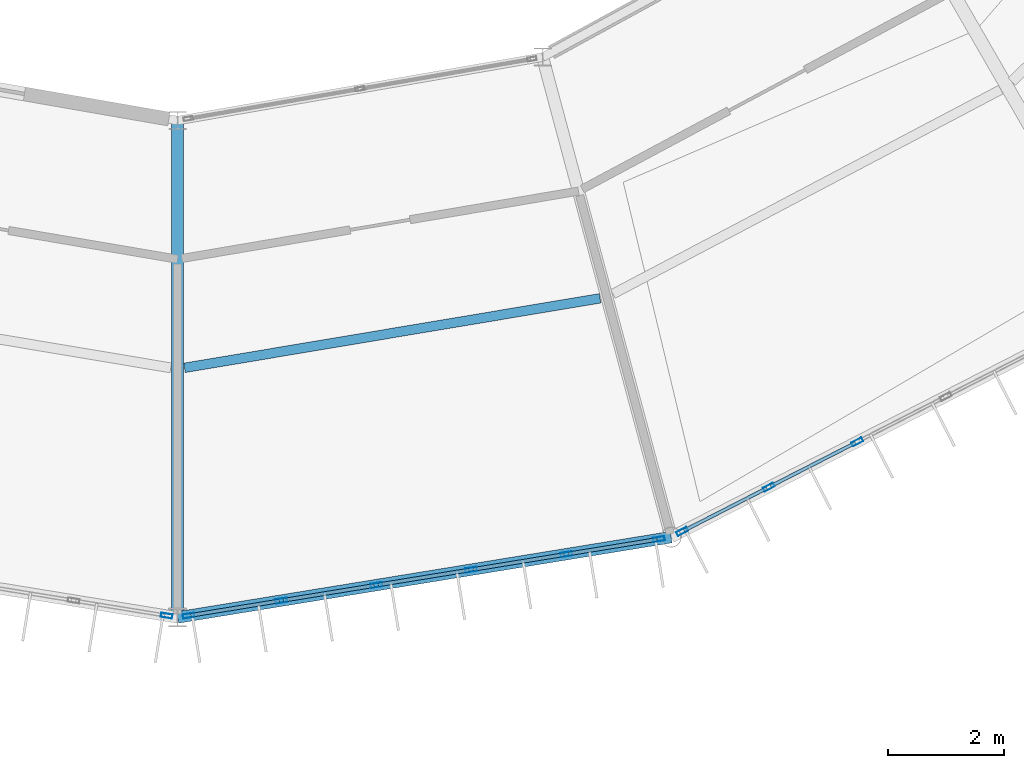
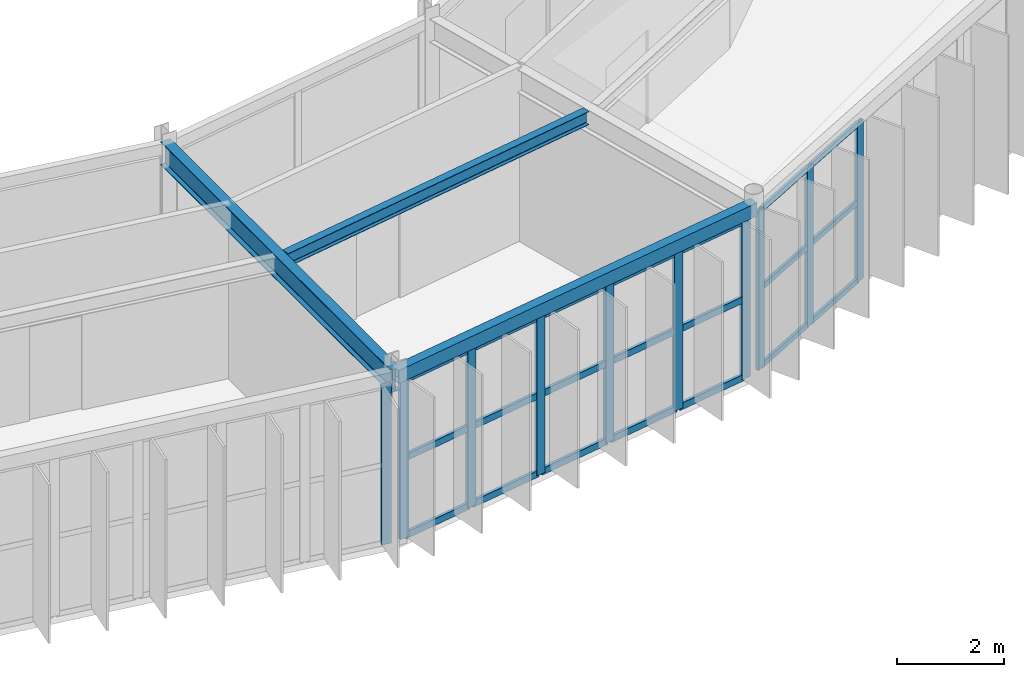
# One storey, part 48 of 148: 31 members, 3 beams, 3 elements without a shape of their own.
"""IFC4 building model written with IfcOpenShell, lengths in metres."""

from ifc_helpers import new_model, si_unit, direction, frame, origin, origin_2d, place, context, subcontext, project, spatial, hollow_rectangle, i_section, extrude, material, material_profile, profile_set, type_object, element, aggregate, save


model = new_model("IFC4")

# Units and contexts
model_context = context("Model", 3, precision=1e-05, world=origin(), true_north=direction((0.0, 1.0)))
body_context = subcontext(model_context, "Body", "Model", "MODEL_VIEW")
ifc_project = project(units=[si_unit("LENGTHUNIT", "METRE"), si_unit("AREAUNIT", "SQUARE_METRE"), si_unit("VOLUMEUNIT", "CUBIC_METRE"), si_unit("PLANEANGLEUNIT", "RADIAN"), si_unit("MASSUNIT", "GRAM", prefix="KILO")], contexts=[model_context])

# Site, building, storey
site_placement = place(None, origin())
site = spatial("IfcSite", under=ifc_project, at=site_placement, CompositionType="ELEMENT")
building_placement = place(site_placement, origin())
building = spatial("IfcBuilding", under=site, at=building_placement, Name="Karori Crest Natural Sciences Institute", CompositionType="ELEMENT")
storey_placement = place(building_placement, frame((0.0, 0.0, 4.89990234375)))
storey = spatial("IfcBuildingStorey", under=building, at=storey_placement, Name="L01", CompositionType="ELEMENT", Elevation=4.89990234375)

# Beams
ifc_material_1 = material(Name="Structural steel AS/NZS 3679.1 Grade 350", Category="steel")
ifc_material_profile_1 = material_profile(ifc_material_1, i_section(OverallWidth=0.208984375, OverallDepth=0.532958984375, WebThickness=0.01025390625, FlangeThickness=0.015625, FilletRadius=0.013916015625, at=origin_2d()), Name="530UB92.4")
ifc_profile_set_1 = profile_set([ifc_material_profile_1], Name="Structural steel AS/NZS 3679.1 Grade 350")
beam_type_1 = type_object("IfcBeamType", Name="BT-05", PredefinedType="BEAM", material=ifc_profile_set_1)
beam_1_placement = place(storey_placement, frame((66.39990234375, 17.699951171875, 3.673583984375), z_axis=(0.0, -1.0, 0.0), x_axis=(1.0, 0.0, 0.0)))
element("IfcBeam", 1, at=beam_1_placement, inside=storey, type_object=beam_type_1, Name="Beam B-0250", PredefinedType="BEAM", context=body_context, shape_type="SweptSolid", body=[
    extrude(i_section(OverallWidth=0.208984375, OverallDepth=0.532958984375, WebThickness=0.01025390625, FlangeThickness=0.015625, FilletRadius=0.013916015625, at=origin_2d()), origin(), (0.0, 0.0, 1.0), 8.599853515625),
])
ifc_material_profile_2 = material_profile(ifc_material_1, i_section(OverallWidth=0.1650390625, OverallDepth=0.303955078125, WebThickness=0.006103515625, FlangeThickness=0.01025390625, FilletRadius=0.010986328125, at=origin_2d()), Name="310UB40.4")
ifc_profile_set_2 = profile_set([ifc_material_profile_2], Name="Structural steel AS/NZS 3679.1 Grade 350")
beam_type_2 = type_object("IfcBeamType", Name="BT-10", PredefinedType="BEAM", material=ifc_profile_set_2)
beam_2_placement = place(storey_placement, frame((66.518310546875, 13.419921875, 3.7880859375), z_axis=(0.986276028212, 0.165104803609, 0.0), x_axis=(-0.165104803609, 0.986276028212, 0.0)))
element("IfcBeam", 2, at=beam_2_placement, inside=storey, type_object=beam_type_2, Name="Beam B-0251", PredefinedType="BEAM", context=body_context, shape_type="SweptSolid", body=[
    extrude(i_section(OverallWidth=0.1650390625, OverallDepth=0.303955078125, WebThickness=0.006103515625, FlangeThickness=0.01025390625, FilletRadius=0.010986328125, at=origin_2d()), origin(), (0.0, 0.0, 1.0), 7.29150390625),
])
ifc_material_2 = material(Name="Hollow structural steel AS/NZS 1163 Grade C350", Category="steel")
ifc_material_profile_3 = material_profile(ifc_material_2, hollow_rectangle(XDim=0.199951171875, YDim=0.300048828125, WallThickness=0.010009765625, at=origin_2d()), Name="RHS300x200x10")
ifc_profile_set_3 = profile_set([ifc_material_profile_3], Name="Hollow structural steel AS/NZS 1163 Grade C350")
beam_type_3 = type_object("IfcBeamType", Name="BT-15", PredefinedType="SPANDREL", material=ifc_profile_set_3)
beam_3_placement = place(storey_placement, frame((66.39990234375, 9.10009765625, 3.7900390625), z_axis=(0.987012055933, 0.160646199591, 0.0), x_axis=(-0.160646199591, 0.987012055933, 0.0)))
element("IfcBeam", 3, at=beam_3_placement, inside=storey, type_object=beam_type_3, Name="Beam B-0248", PredefinedType="SPANDREL", context=body_context, shape_type="SweptSolid", body=[
    extrude(hollow_rectangle(XDim=0.199951171875, YDim=0.300048828125, WallThickness=0.010009765625, at=origin_2d()), origin(), (0.0, 0.0, 1.0), 8.6533203125),
])

# Curtain wall, member
ifc_material_3 = material(Name="Anodised architectural aluminium 6063-T6", Category="aluminium")
curtain_wall_type_1 = type_object("IfcCurtainWallType", Name="CWT-08", PredefinedType="NOTDEFINED", material=ifc_material_3)
curtain_wall_1_placement = place(storey_placement, origin())
curtain_wall_1 = element("IfcCurtainWall", 4, at=curtain_wall_1_placement, inside=storey, type_object=curtain_wall_type_1, Name="Curtain wall CW-0055", PredefinedType="NOTDEFINED")
ifc_material_profile_4 = material_profile(ifc_material_3, hollow_rectangle(XDim=0.074951171875, YDim=0.199951171875, WallThickness=0.0048828125, at=origin_2d()), Name="CWM200x75x5")
ifc_profile_set_4 = profile_set([ifc_material_profile_4], Name="Anodised architectural aluminium 6063-T6")
member_type_1 = type_object("IfcMemberType", Name="CWM-02", PredefinedType="MULLION", material=ifc_profile_set_4)
member_1_placement = place(storey_placement, frame((66.20947265625, 9.131103515625, 0.0), z_axis=(0.0, 0.0, 1.0), x_axis=(-0.160651962718, -0.987011117908, 0.0)))
member_1 = element("IfcMember", 5, at=member_1_placement, type_object=member_type_1, Name="CW-0055 mullion 1", PredefinedType="MULLION", context=body_context, shape_type="SweptSolid", body=[
    extrude(hollow_rectangle(XDim=0.074951171875, YDim=0.199951171875, WallThickness=0.0048828125, at=origin_2d()), origin(), (0.0, 0.0, 1.0), 3.625),
])
aggregate(curtain_wall_1, [member_1])

# Curtain wall, members
curtain_wall_type_2 = type_object("IfcCurtainWallType", Name="CWT-09", PredefinedType="NOTDEFINED", material=ifc_material_3)
curtain_wall_2_placement = place(storey_placement, origin())
curtain_wall_2 = element("IfcCurtainWall", 6, at=curtain_wall_2_placement, inside=storey, type_object=curtain_wall_type_2, Name="Curtain wall CW-0056", PredefinedType="NOTDEFINED")
member_2_placement = place(storey_placement, frame((74.73046875, 10.4560546875, 0.0), z_axis=(0.0, 0.0, 1.0), x_axis=(0.1606565458, -0.987010371927, 0.0)))
member_2 = element("IfcMember", 7, at=member_2_placement, type_object=member_type_1, Name="CW-0056 mullion 1", PredefinedType="MULLION", context=body_context, shape_type="SweptSolid", body=[
    extrude(hollow_rectangle(XDim=0.074951171875, YDim=0.199951171875, WallThickness=0.0048828125, at=origin_2d()), origin(), (0.0, 0.0, 1.0), 3.625),
])
member_3_placement = place(storey_placement, frame((73.124755859375, 10.194580078125, 0.0), z_axis=(0.0, 0.0, 1.0), x_axis=(0.1606565458, -0.987010371927, 0.0)))
member_3 = element("IfcMember", 8, at=member_3_placement, type_object=member_type_1, Name="CW-0056 mullion 2", PredefinedType="MULLION", context=body_context, shape_type="SweptSolid", body=[
    extrude(hollow_rectangle(XDim=0.074951171875, YDim=0.199951171875, WallThickness=0.0048828125, at=origin_2d()), origin(), (0.0, 0.0, 1.0), 3.625),
])
member_4_placement = place(storey_placement, frame((71.48193359375, 9.92724609375, 0.0), z_axis=(0.0, 0.0, 1.0), x_axis=(0.1606565458, -0.987010371927, 0.0)))
member_4 = element("IfcMember", 9, at=member_4_placement, type_object=member_type_1, Name="CW-0056 mullion 3", PredefinedType="MULLION", context=body_context, shape_type="SweptSolid", body=[
    extrude(hollow_rectangle(XDim=0.074951171875, YDim=0.199951171875, WallThickness=0.0048828125, at=origin_2d()), origin(), (0.0, 0.0, 1.0), 3.625),
])
member_5_placement = place(storey_placement, frame((69.839111328125, 9.659912109375, 0.0), z_axis=(0.0, 0.0, 1.0), x_axis=(0.1606565458, -0.987010371927, 0.0)))
member_5 = element("IfcMember", 10, at=member_5_placement, type_object=member_type_1, Name="CW-0056 mullion 4", PredefinedType="MULLION", context=body_context, shape_type="SweptSolid", body=[
    extrude(hollow_rectangle(XDim=0.074951171875, YDim=0.199951171875, WallThickness=0.0048828125, at=origin_2d()), origin(), (0.0, 0.0, 1.0), 3.625),
])
member_6_placement = place(storey_placement, frame((68.1962890625, 9.392333984375, 0.0), z_axis=(0.0, 0.0, 1.0), x_axis=(0.1606565458, -0.987010371927, 0.0)))
member_6 = element("IfcMember", 11, at=member_6_placement, type_object=member_type_1, Name="CW-0056 mullion 5", PredefinedType="MULLION", context=body_context, shape_type="SweptSolid", body=[
    extrude(hollow_rectangle(XDim=0.074951171875, YDim=0.199951171875, WallThickness=0.0048828125, at=origin_2d()), origin(), (0.0, 0.0, 1.0), 3.625),
])
member_7_placement = place(storey_placement, frame((66.590576171875, 9.131103515625, 0.0), z_axis=(0.0, 0.0, 1.0), x_axis=(0.1606565458, -0.987010371927, 0.0)))
member_7 = element("IfcMember", 12, at=member_7_placement, type_object=member_type_1, Name="CW-0056 mullion 6", PredefinedType="MULLION", context=body_context, shape_type="SweptSolid", body=[
    extrude(hollow_rectangle(XDim=0.074951171875, YDim=0.199951171875, WallThickness=0.0048828125, at=origin_2d()), origin(), (0.0, 0.0, 1.0), 3.625),
])

curtain_wall_type_3 = type_object("IfcCurtainWallType", Name="CWT-10", PredefinedType="NOTDEFINED", material=ifc_material_3)
curtain_wall_3_placement = place(storey_placement, origin())
curtain_wall_3 = element("IfcCurtainWall", 13, at=curtain_wall_3_placement, inside=storey, type_object=curtain_wall_type_3, Name="Curtain wall CW-0058", PredefinedType="NOTDEFINED")
member_8_placement = place(storey_placement, frame((78.16162109375, 12.139404296875, 0.0), z_axis=(0.0, 0.0, 1.0), x_axis=(0.455832988828, -0.890065326982, 0.0)))
member_8 = element("IfcMember", 14, at=member_8_placement, type_object=member_type_1, Name="CW-0058 mullion 4", PredefinedType="MULLION", context=body_context, shape_type="SweptSolid", body=[
    extrude(hollow_rectangle(XDim=0.074951171875, YDim=0.199951171875, WallThickness=0.0048828125, at=origin_2d()), origin(), (0.0, 0.0, 1.0), 3.625),
])
member_9_placement = place(storey_placement, frame((76.629638671875, 11.35498046875, 0.0), z_axis=(0.0, 0.0, 1.0), x_axis=(0.455832988828, -0.890065326982, 0.0)))
member_9 = element("IfcMember", 15, at=member_9_placement, type_object=member_type_1, Name="CW-0058 mullion 5", PredefinedType="MULLION", context=body_context, shape_type="SweptSolid", body=[
    extrude(hollow_rectangle(XDim=0.074951171875, YDim=0.199951171875, WallThickness=0.0048828125, at=origin_2d()), origin(), (0.0, 0.0, 1.0), 3.625),
])
member_10_placement = place(storey_placement, frame((75.130859375, 10.58740234375, 0.0), z_axis=(0.0, 0.0, 1.0), x_axis=(0.455832988828, -0.890065326982, 0.0)))
member_10 = element("IfcMember", 16, at=member_10_placement, type_object=member_type_1, Name="CW-0058 mullion 6", PredefinedType="MULLION", context=body_context, shape_type="SweptSolid", body=[
    extrude(hollow_rectangle(XDim=0.074951171875, YDim=0.199951171875, WallThickness=0.0048828125, at=origin_2d()), origin(), (0.0, 0.0, 1.0), 3.625),
])
ifc_material_profile_5 = material_profile(ifc_material_3, hollow_rectangle(XDim=0.06005859375, YDim=0.1201171875, WallThickness=0.00390625, at=origin_2d()), Name="CWT120x60x4")
ifc_profile_set_5 = profile_set([ifc_material_profile_5], Name="Anodised architectural aluminium 6063-T6")
member_type_2 = type_object("IfcMemberType", Name="CWT-TR1", PredefinedType="USERDEFINED", material=ifc_profile_set_5)
member_11_placement = place(storey_placement, frame((78.128173828125, 12.122314453125, 0.030029296875), z_axis=(-0.890115268912, -0.455735458408, 0.0), x_axis=(0.455735458408, -0.890115268912, 0.0)))
member_11 = element("IfcMember", 17, at=member_11_placement, type_object=member_type_2, Name="CW-0058 transom 4.1", ObjectType="TRANSOM", PredefinedType="USERDEFINED", context=body_context, shape_type="SweptSolid", body=[
    extrude(hollow_rectangle(XDim=0.06005859375, YDim=0.1201171875, WallThickness=0.00390625, at=origin_2d()), origin(), (0.0, 0.0, 1.0), 1.646240234375),
])
member_12_placement = place(storey_placement, frame((78.128173828125, 12.122314453125, 1.8125), z_axis=(-0.890115268912, -0.455735458408, 0.0), x_axis=(0.455735458408, -0.890115268912, 0.0)))
member_12 = element("IfcMember", 18, at=member_12_placement, type_object=member_type_2, Name="CW-0058 transom 4.2", ObjectType="TRANSOM", PredefinedType="USERDEFINED", context=body_context, shape_type="SweptSolid", body=[
    extrude(hollow_rectangle(XDim=0.06005859375, YDim=0.1201171875, WallThickness=0.00390625, at=origin_2d()), origin(), (0.0, 0.0, 1.0), 1.646240234375),
])
member_13_placement = place(storey_placement, frame((78.128173828125, 12.122314453125, 3.59521484375), z_axis=(-0.890115268912, -0.455735458408, 0.0), x_axis=(0.455735458408, -0.890115268912, 0.0)))
member_13 = element("IfcMember", 19, at=member_13_placement, type_object=member_type_2, Name="CW-0058 transom 4.3", ObjectType="TRANSOM", PredefinedType="USERDEFINED", context=body_context, shape_type="SweptSolid", body=[
    extrude(hollow_rectangle(XDim=0.06005859375, YDim=0.1201171875, WallThickness=0.00390625, at=origin_2d()), origin(), (0.0, 0.0, 1.0), 1.646240234375),
])
member_14_placement = place(storey_placement, frame((76.59619140625, 11.337890625, 0.030029296875), z_axis=(-0.890044866674, -0.455872937679, 0.0), x_axis=(0.455872937679, -0.890044866674, 0.0)))
member_14 = element("IfcMember", 20, at=member_14_placement, type_object=member_type_2, Name="CW-0058 transom 5.1", ObjectType="TRANSOM", PredefinedType="USERDEFINED", context=body_context, shape_type="SweptSolid", body=[
    extrude(hollow_rectangle(XDim=0.06005859375, YDim=0.1201171875, WallThickness=0.00390625, at=origin_2d()), origin(), (0.0, 0.0, 1.0), 1.60888671875),
])
member_15_placement = place(storey_placement, frame((76.59619140625, 11.337890625, 1.8125), z_axis=(-0.890044866674, -0.455872937679, 0.0), x_axis=(0.455872937679, -0.890044866674, 0.0)))
member_15 = element("IfcMember", 21, at=member_15_placement, type_object=member_type_2, Name="CW-0058 transom 5.2", ObjectType="TRANSOM", PredefinedType="USERDEFINED", context=body_context, shape_type="SweptSolid", body=[
    extrude(hollow_rectangle(XDim=0.06005859375, YDim=0.1201171875, WallThickness=0.00390625, at=origin_2d()), origin(), (0.0, 0.0, 1.0), 1.60888671875),
])
member_16_placement = place(storey_placement, frame((76.59619140625, 11.337890625, 3.59521484375), z_axis=(-0.890044866674, -0.455872937679, 0.0), x_axis=(0.455872937679, -0.890044866674, 0.0)))
member_16 = element("IfcMember", 22, at=member_16_placement, type_object=member_type_2, Name="CW-0058 transom 5.3", ObjectType="TRANSOM", PredefinedType="USERDEFINED", context=body_context, shape_type="SweptSolid", body=[
    extrude(hollow_rectangle(XDim=0.06005859375, YDim=0.1201171875, WallThickness=0.00390625, at=origin_2d()), origin(), (0.0, 0.0, 1.0), 1.60888671875),
])
aggregate(curtain_wall_3, [member_8, member_9, member_10, member_11, member_12, member_13, member_14, member_15, member_16])

# Member
ifc_material_profile_6 = material_profile(ifc_material_3, hollow_rectangle(XDim=0.06494140625, YDim=0.14990234375, WallThickness=0.00390625, at=origin_2d()), Name="CWT150x65x4")
ifc_profile_set_6 = profile_set([ifc_material_profile_6], Name="Anodised architectural aluminium 6063-T6")
member_type_3 = type_object("IfcMemberType", Name="CWT-TR2", PredefinedType="USERDEFINED", material=ifc_profile_set_6)
member_17_placement = place(storey_placement, frame((74.693359375, 10.449951171875, 0.03271484375), z_axis=(-0.987015971558, -0.160622140096, 0.0), x_axis=(0.160622140096, -0.987015971558, 0.0)))
member_17 = element("IfcMember", 23, at=member_17_placement, type_object=member_type_3, Name="CW-0056 transom 1.1", ObjectType="TRANSOM", PredefinedType="USERDEFINED", context=body_context, shape_type="SweptSolid", body=[
    extrude(hollow_rectangle(XDim=0.06494140625, YDim=0.14990234375, WallThickness=0.00390625, at=origin_2d()), origin(), (0.0, 0.0, 1.0), 1.552001953125),
])

member_18_placement = place(storey_placement, frame((74.693359375, 10.449951171875, 1.8125), z_axis=(-0.987015971558, -0.160622140096, 0.0), x_axis=(0.160622140096, -0.987015971558, 0.0)))
member_18 = element("IfcMember", 24, at=member_18_placement, type_object=member_type_3, Name="CW-0056 transom 1.2", ObjectType="TRANSOM", PredefinedType="USERDEFINED", context=body_context, shape_type="SweptSolid", body=[
    extrude(hollow_rectangle(XDim=0.06494140625, YDim=0.14990234375, WallThickness=0.00390625, at=origin_2d()), origin(), (0.0, 0.0, 1.0), 1.552001953125),
])

member_19_placement = place(storey_placement, frame((74.693359375, 10.449951171875, 3.592529296875), z_axis=(-0.987015971558, -0.160622140096, 0.0), x_axis=(0.160622140096, -0.987015971558, 0.0)))
member_19 = element("IfcMember", 25, at=member_19_placement, type_object=member_type_3, Name="CW-0056 transom 1.3", ObjectType="TRANSOM", PredefinedType="USERDEFINED", context=body_context, shape_type="SweptSolid", body=[
    extrude(hollow_rectangle(XDim=0.06494140625, YDim=0.14990234375, WallThickness=0.00390625, at=origin_2d()), origin(), (0.0, 0.0, 1.0), 1.552001953125),
])

member_20_placement = place(storey_placement, frame((73.087646484375, 10.1884765625, 0.03271484375), z_axis=(-0.987009535741, -0.160661682911, 0.0), x_axis=(0.160661682911, -0.987009535741, 0.0)))
member_20 = element("IfcMember", 26, at=member_20_placement, type_object=member_type_3, Name="CW-0056 transom 2.1", ObjectType="TRANSOM", PredefinedType="USERDEFINED", context=body_context, shape_type="SweptSolid", body=[
    extrude(hollow_rectangle(XDim=0.06494140625, YDim=0.14990234375, WallThickness=0.00390625, at=origin_2d()), origin(), (0.0, 0.0, 1.0), 1.589599609375),
])

member_21_placement = place(storey_placement, frame((73.087646484375, 10.1884765625, 1.8125), z_axis=(-0.987009535741, -0.160661682911, 0.0), x_axis=(0.160661682911, -0.987009535741, 0.0)))
member_21 = element("IfcMember", 27, at=member_21_placement, type_object=member_type_3, Name="CW-0056 transom 2.2", ObjectType="TRANSOM", PredefinedType="USERDEFINED", context=body_context, shape_type="SweptSolid", body=[
    extrude(hollow_rectangle(XDim=0.06494140625, YDim=0.14990234375, WallThickness=0.00390625, at=origin_2d()), origin(), (0.0, 0.0, 1.0), 1.589599609375),
])

member_22_placement = place(storey_placement, frame((73.087646484375, 10.1884765625, 3.592529296875), z_axis=(-0.987009535741, -0.160661682911, 0.0), x_axis=(0.160661682911, -0.987009535741, 0.0)))
member_22 = element("IfcMember", 28, at=member_22_placement, type_object=member_type_3, Name="CW-0056 transom 2.3", ObjectType="TRANSOM", PredefinedType="USERDEFINED", context=body_context, shape_type="SweptSolid", body=[
    extrude(hollow_rectangle(XDim=0.06494140625, YDim=0.14990234375, WallThickness=0.00390625, at=origin_2d()), origin(), (0.0, 0.0, 1.0), 1.589599609375),
])

member_23_placement = place(storey_placement, frame((71.44482421875, 9.921142578125, 0.03271484375), z_axis=(-0.987005570186, -0.160686043022, 0.0), x_axis=(0.160686043022, -0.987005570186, 0.0)))
member_23 = element("IfcMember", 29, at=member_23_placement, type_object=member_type_3, Name="CW-0056 transom 3.1", ObjectType="TRANSOM", PredefinedType="USERDEFINED", context=body_context, shape_type="SweptSolid", body=[
    extrude(hollow_rectangle(XDim=0.06494140625, YDim=0.14990234375, WallThickness=0.00390625, at=origin_2d()), origin(), (0.0, 0.0, 1.0), 1.58935546875),
])

member_24_placement = place(storey_placement, frame((71.44482421875, 9.921142578125, 1.8125), z_axis=(-0.987005570186, -0.160686043022, 0.0), x_axis=(0.160686043022, -0.987005570186, 0.0)))
member_24 = element("IfcMember", 30, at=member_24_placement, type_object=member_type_3, Name="CW-0056 transom 3.2", ObjectType="TRANSOM", PredefinedType="USERDEFINED", context=body_context, shape_type="SweptSolid", body=[
    extrude(hollow_rectangle(XDim=0.06494140625, YDim=0.14990234375, WallThickness=0.00390625, at=origin_2d()), origin(), (0.0, 0.0, 1.0), 1.58935546875),
])

member_25_placement = place(storey_placement, frame((71.44482421875, 9.921142578125, 3.592529296875), z_axis=(-0.987005570186, -0.160686043022, 0.0), x_axis=(0.160686043022, -0.987005570186, 0.0)))
member_25 = element("IfcMember", 31, at=member_25_placement, type_object=member_type_3, Name="CW-0056 transom 3.3", ObjectType="TRANSOM", PredefinedType="USERDEFINED", context=body_context, shape_type="SweptSolid", body=[
    extrude(hollow_rectangle(XDim=0.06494140625, YDim=0.14990234375, WallThickness=0.00390625, at=origin_2d()), origin(), (0.0, 0.0, 1.0), 1.58935546875),
])

member_26_placement = place(storey_placement, frame((69.802001953125, 9.65380859375, 0.03271484375), z_axis=(-0.987005570186, -0.160686043022, 0.0), x_axis=(0.160686043022, -0.987005570186, 0.0)))
member_26 = element("IfcMember", 32, at=member_26_placement, type_object=member_type_3, Name="CW-0056 transom 4.1", ObjectType="TRANSOM", PredefinedType="USERDEFINED", context=body_context, shape_type="SweptSolid", body=[
    extrude(hollow_rectangle(XDim=0.06494140625, YDim=0.14990234375, WallThickness=0.00390625, at=origin_2d()), origin(), (0.0, 0.0, 1.0), 1.58935546875),
])

member_27_placement = place(storey_placement, frame((69.802001953125, 9.65380859375, 1.8125), z_axis=(-0.987005570186, -0.160686043022, 0.0), x_axis=(0.160686043022, -0.987005570186, 0.0)))
member_27 = element("IfcMember", 33, at=member_27_placement, type_object=member_type_3, Name="CW-0056 transom 4.2", ObjectType="TRANSOM", PredefinedType="USERDEFINED", context=body_context, shape_type="SweptSolid", body=[
    extrude(hollow_rectangle(XDim=0.06494140625, YDim=0.14990234375, WallThickness=0.00390625, at=origin_2d()), origin(), (0.0, 0.0, 1.0), 1.58935546875),
])

member_28_placement = place(storey_placement, frame((69.802001953125, 9.65380859375, 3.592529296875), z_axis=(-0.987005570186, -0.160686043022, 0.0), x_axis=(0.160686043022, -0.987005570186, 0.0)))
member_28 = element("IfcMember", 34, at=member_28_placement, type_object=member_type_3, Name="CW-0056 transom 4.3", ObjectType="TRANSOM", PredefinedType="USERDEFINED", context=body_context, shape_type="SweptSolid", body=[
    extrude(hollow_rectangle(XDim=0.06494140625, YDim=0.14990234375, WallThickness=0.00390625, at=origin_2d()), origin(), (0.0, 0.0, 1.0), 1.58935546875),
])

member_29_placement = place(storey_placement, frame((68.1591796875, 9.386474609375, 0.03271484375), z_axis=(-0.986991019555, -0.160775394005, 0.0), x_axis=(0.160775394005, -0.986991019555, 0.0)))
member_29 = element("IfcMember", 35, at=member_29_placement, type_object=member_type_3, Name="CW-0056 transom 5.1", ObjectType="TRANSOM", PredefinedType="USERDEFINED", context=body_context, shape_type="SweptSolid", body=[
    extrude(hollow_rectangle(XDim=0.06494140625, YDim=0.14990234375, WallThickness=0.00390625, at=origin_2d()), origin(), (0.0, 0.0, 1.0), 1.552001953125),
])

member_30_placement = place(storey_placement, frame((68.1591796875, 9.386474609375, 1.8125), z_axis=(-0.986991019555, -0.160775394005, 0.0), x_axis=(0.160775394005, -0.986991019555, 0.0)))
member_30 = element("IfcMember", 36, at=member_30_placement, type_object=member_type_3, Name="CW-0056 transom 5.2", ObjectType="TRANSOM", PredefinedType="USERDEFINED", context=body_context, shape_type="SweptSolid", body=[
    extrude(hollow_rectangle(XDim=0.06494140625, YDim=0.14990234375, WallThickness=0.00390625, at=origin_2d()), origin(), (0.0, 0.0, 1.0), 1.552001953125),
])

member_31_placement = place(storey_placement, frame((68.1591796875, 9.386474609375, 3.592529296875), z_axis=(-0.986991019555, -0.160775394005, 0.0), x_axis=(0.160775394005, -0.986991019555, 0.0)))
member_31 = element("IfcMember", 37, at=member_31_placement, type_object=member_type_3, Name="CW-0056 transom 5.3", ObjectType="TRANSOM", PredefinedType="USERDEFINED", context=body_context, shape_type="SweptSolid", body=[
    extrude(hollow_rectangle(XDim=0.06494140625, YDim=0.14990234375, WallThickness=0.00390625, at=origin_2d()), origin(), (0.0, 0.0, 1.0), 1.552001953125),
])

aggregate(curtain_wall_2, [member_2, member_3, member_4, member_5, member_6, member_7, member_17, member_18, member_19, member_20, member_21, member_22, member_23, member_24, member_25, member_26, member_27, member_28, member_29, member_30, member_31])

save(model, "model.ifc")
